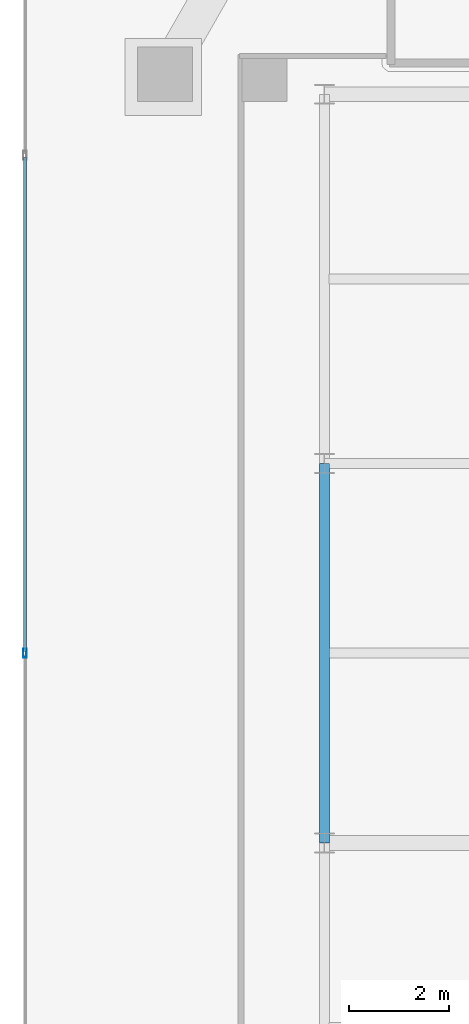
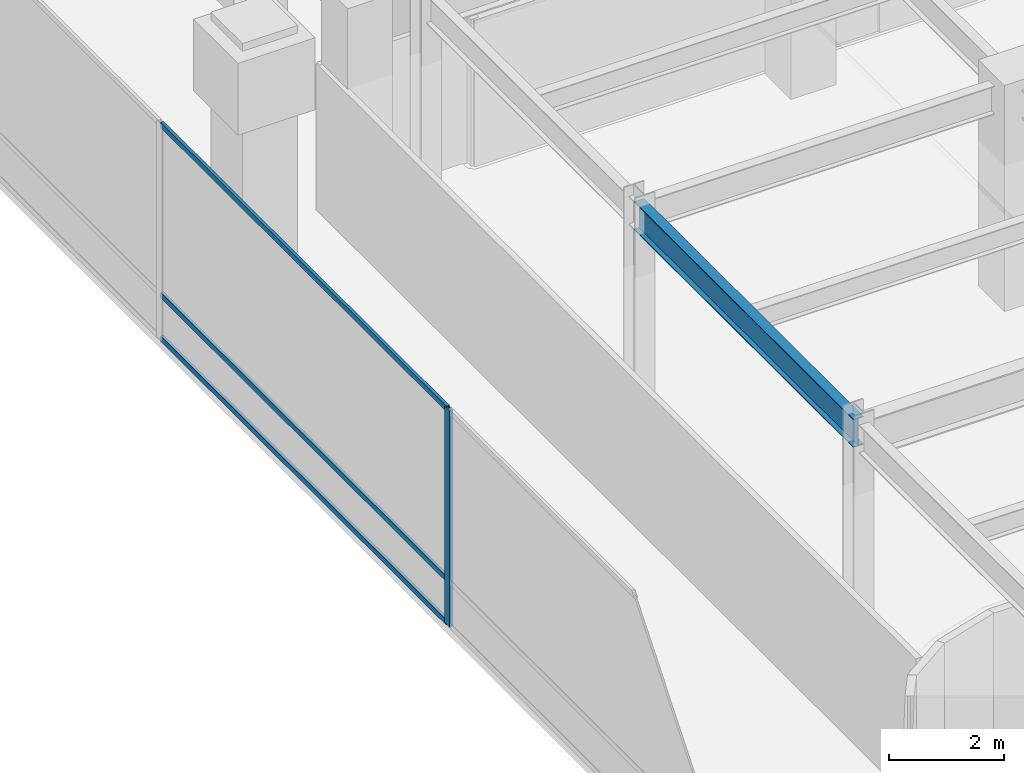
# One storey, part 10 of 45: 4 members, 1 beam, 1 element without a shape of its own.
"""IFC4 building model written with IfcOpenShell, lengths in metres."""

from ifc_helpers import new_model, si_unit, direction, frame, origin, origin_2d, place, context, subcontext, project, spatial, hollow_rectangle, i_section, extrude, material, layer, layer_set, material_profile, profile_set, type_object, element, aggregate, save


model = new_model("IFC4")

# Units and contexts
model_context = context("Model", 3, precision=1e-05, world=origin(), true_north=direction((0.0, 1.0)))
body_context = subcontext(model_context, "Body", "Model", "MODEL_VIEW")
ifc_project = project(units=[si_unit("LENGTHUNIT", "METRE"), si_unit("AREAUNIT", "SQUARE_METRE"), si_unit("VOLUMEUNIT", "CUBIC_METRE"), si_unit("PLANEANGLEUNIT", "RADIAN"), si_unit("MASSUNIT", "GRAM", prefix="KILO")], contexts=[model_context])

# Site, building, storey
site_placement = place(None, origin())
site = spatial("IfcSite", under=ifc_project, at=site_placement, CompositionType="ELEMENT")
building_placement = place(site_placement, origin())
building = spatial("IfcBuilding", under=site, at=building_placement, Name="Qianvela Tower", CompositionType="ELEMENT")
storey_placement = place(building_placement, frame((0.0, 0.0, 11.0)))
storey = spatial("IfcBuildingStorey", under=building, at=storey_placement, Name="L02", CompositionType="ELEMENT", Elevation=11.0)

# Beam
ifc_material_1 = material(Name="Steel Q355B", Category="steel")
ifc_material_profile_1 = material_profile(ifc_material_1, i_section(OverallWidth=0.199951171875, OverallDepth=0.60009765625, WebThickness=0.010986328125, FlangeThickness=0.01708984375, at=origin_2d()), Name="HN600x200x11x17")
ifc_profile_set_1 = profile_set([ifc_material_profile_1], Name="Steel Q355B")
beam_type = type_object("IfcBeamType", Name="BM-HN600-GIRD", PredefinedType="BEAM", material=ifc_profile_set_1)
beam_placement = place(storey_placement, frame((7.5, 22.199951171875, 4.278076171875), z_axis=(0.0, 1.0, 0.0), x_axis=(-1.0, 0.0, 0.0)))
element("IfcBeam", 1, at=beam_placement, inside=storey, type_object=beam_type, Name="L02 North-South Grid Girder 17", PredefinedType="BEAM", context=body_context, shape_type="SweptSolid", body=[
    extrude(i_section(OverallWidth=0.199951171875, OverallDepth=0.60009765625, WebThickness=0.010986328125, FlangeThickness=0.01708984375, at=origin_2d()), origin(), (0.0, 0.0, 1.0), 7.60009765625),
])

# Curtain wall, members
ifc_material_2 = material(Name="Anodised Architectural Aluminium and Low-E Glass", Category="aluminium")
ifc_layer = layer(ifc_material_2, 0.179931640625)
ifc_layer_set = layer_set([ifc_layer], Name="Anodised Architectural Aluminium and Low-E Glass")
curtain_wall_type = type_object("IfcCurtainWallType", Name="CW-COMMONS", PredefinedType="USERDEFINED", material=ifc_layer_set)
curtain_wall_placement = place(storey_placement, origin())
curtain_wall = element("IfcCurtainWall", 2, at=curtain_wall_placement, inside=storey, type_object=curtain_wall_type, Name="L02 CW-COMMONS Curtain Wall 07", ObjectType="CURTAIN_WALL_SYSTEM", PredefinedType="USERDEFINED")
ifc_material_3 = material(Name="Anodised Architectural Aluminium 6063-T6", Category="aluminium")
ifc_material_profile_2 = material_profile(ifc_material_3, hollow_rectangle(XDim=0.070068359375, YDim=0.179931640625, WallThickness=0.0048828125, at=origin_2d()), Name="ALU-MULL-70x180")
ifc_profile_set_2 = profile_set([ifc_material_profile_2], Name="Anodised Architectural Aluminium 6063-T6")
member_type_1 = type_object("IfcMemberType", Name="CW-COMMONS-MULL", PredefinedType="MULLION", material=ifc_profile_set_2)
member_1_placement = place(storey_placement, frame((1.5, 26.0, 0.0), z_axis=(0.0, 0.0, 1.0), x_axis=(1.0, 0.0, 0.0)))
member_1 = element("IfcMember", 3, at=member_1_placement, type_object=member_type_1, Name="CW-2 mullion 3", PredefinedType="MULLION", context=body_context, shape_type="SweptSolid", body=[
    extrude(hollow_rectangle(XDim=0.070068359375, YDim=0.179931640625, WallThickness=0.0048828125, at=origin_2d()), origin(), (0.0, 0.0, 1.0), 4.580078125),
])
ifc_material_4 = material(Name="Anodised Architectural Aluminium 6063-T6", Category="aluminium")
ifc_material_profile_3 = material_profile(ifc_material_4, hollow_rectangle(XDim=0.06005859375, YDim=0.114990234375, WallThickness=0.00390625, at=origin_2d()), Name="ALU-TRAN-60x115")
ifc_profile_set_3 = profile_set([ifc_material_profile_3], Name="Anodised Architectural Aluminium 6063-T6")
member_type_2 = type_object("IfcMemberType", Name="CW-COMMONS-TRAN", PredefinedType="USERDEFINED", material=ifc_profile_set_3)
member_2_placement = place(storey_placement, frame((1.5, 35.93994140625, 0.030029296875), z_axis=(0.0, -1.0, 0.0), x_axis=(1.0, 0.0, 0.0)))
member_2 = element("IfcMember", 4, at=member_2_placement, type_object=member_type_2, Name="CW-2 transom 2.1", ObjectType="TRANSOM", PredefinedType="USERDEFINED", context=body_context, shape_type="SweptSolid", body=[
    extrude(hollow_rectangle(XDim=0.06005859375, YDim=0.114990234375, WallThickness=0.00390625, at=origin_2d()), origin(), (0.0, 0.0, 1.0), 9.905029296875),
])
member_3_placement = place(storey_placement, frame((1.5, 35.93994140625, 0.949951171875), z_axis=(0.0, -1.0, 0.0), x_axis=(1.0, 0.0, 0.0)))
member_3 = element("IfcMember", 5, at=member_3_placement, type_object=member_type_2, Name="CW-2 transom 2.2", ObjectType="TRANSOM", PredefinedType="USERDEFINED", context=body_context, shape_type="SweptSolid", body=[
    extrude(hollow_rectangle(XDim=0.06005859375, YDim=0.114990234375, WallThickness=0.00390625, at=origin_2d()), origin(), (0.0, 0.0, 1.0), 9.905029296875),
])
member_4_placement = place(storey_placement, frame((1.5, 35.93994140625, 4.550048828125), z_axis=(0.0, -1.0, 0.0), x_axis=(1.0, 0.0, 0.0)))
member_4 = element("IfcMember", 6, at=member_4_placement, type_object=member_type_2, Name="CW-2 transom 2.3", ObjectType="TRANSOM", PredefinedType="USERDEFINED", context=body_context, shape_type="SweptSolid", body=[
    extrude(hollow_rectangle(XDim=0.06005859375, YDim=0.114990234375, WallThickness=0.00390625, at=origin_2d()), origin(), (0.0, 0.0, 1.0), 9.905029296875),
])
aggregate(curtain_wall, [member_1, member_2, member_3, member_4])

save(model, "model.ifc")
